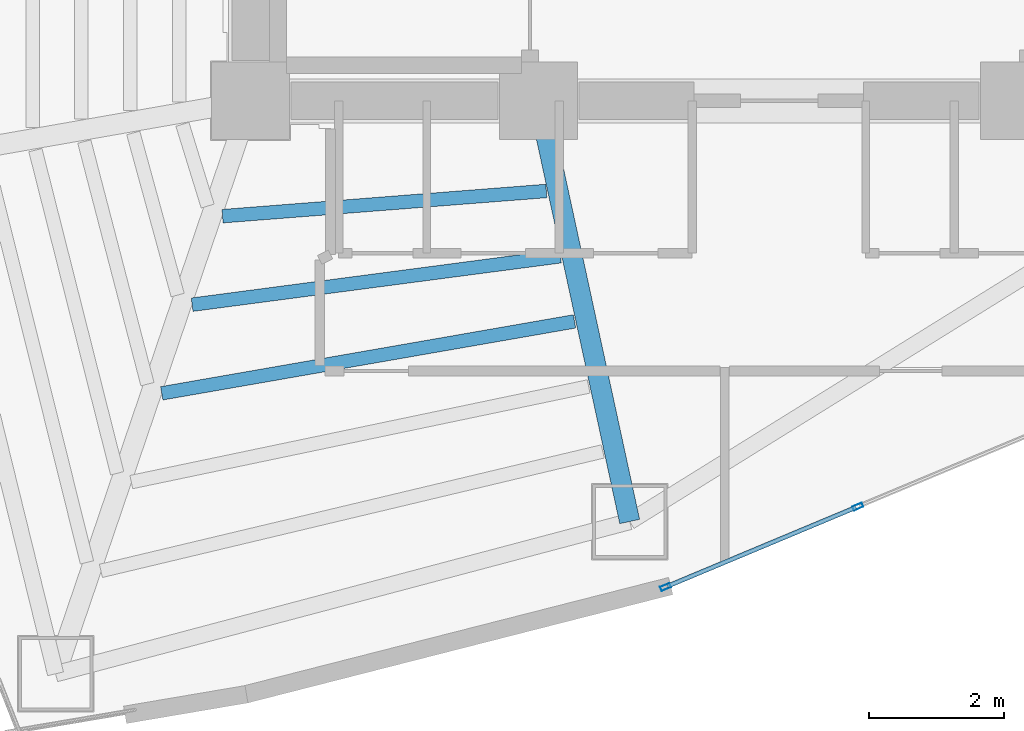
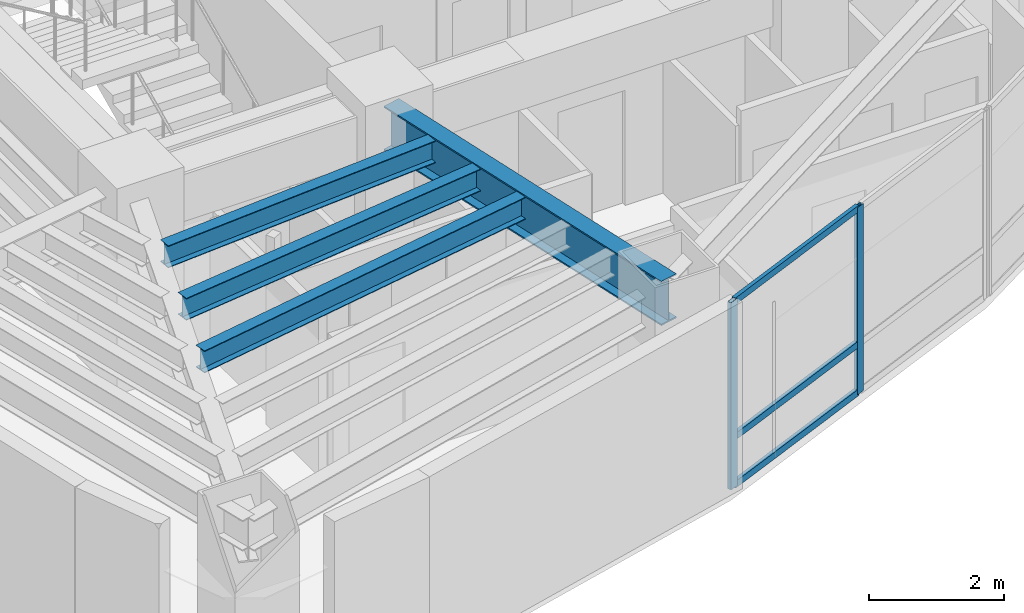
# One storey, part 2 of 15: 5 members, 4 beams, 1 element without a shape of its own.
"""IFC4 building model written with IfcOpenShell, lengths in metres."""

from ifc_helpers import new_model, si_unit, direction, frame, origin, origin_2d, place, context, subcontext, project, spatial, hollow_rectangle, i_section, extrude, material, layer, layer_set, material_profile, profile_set, type_object, element, aggregate, save


model = new_model("IFC4")

# Units and contexts
model_context = context("Model", 3, precision=1e-05, world=origin(), true_north=direction((0.0, 1.0)))
body_context = subcontext(model_context, "Body", "Model", "MODEL_VIEW")
ifc_project = project(units=[si_unit("LENGTHUNIT", "METRE"), si_unit("AREAUNIT", "SQUARE_METRE"), si_unit("VOLUMEUNIT", "CUBIC_METRE"), si_unit("PLANEANGLEUNIT", "RADIAN"), si_unit("MASSUNIT", "GRAM", prefix="KILO")], contexts=[model_context])

# Site, building, storey
site_placement = place(None, origin())
site = spatial("IfcSite", under=ifc_project, at=site_placement, CompositionType="ELEMENT")
building_placement = place(site_placement, origin())
building = spatial("IfcBuilding", under=site, at=building_placement, Name="Menara Vayukalpa", CompositionType="ELEMENT")
storey_placement = place(building_placement, frame((0.0, 0.0, 144.89990234375)))
storey = spatial("IfcBuildingStorey", under=building, at=storey_placement, Name="L36", CompositionType="ELEMENT", Elevation=144.89990234375)

# Beams
ifc_material_1 = material(Name="Steel S355", Category="steel")
ifc_material_profile_1 = material_profile(ifc_material_1, i_section(OverallWidth=0.300048828125, OverallDepth=0.800048828125, WebThickness=0.013916015625, FlangeThickness=0.02587890625, at=origin_2d()), Name="WF 800x300x14x26")
ifc_profile_set_1 = profile_set([ifc_material_profile_1], Name="Steel S355")
beam_type_1 = type_object("IfcBeamType", Name="BM-PG3", PredefinedType="BEAM", material=ifc_profile_set_1)
beam_1_placement = place(storey_placement, frame((22.10302734375, 16.955810546875, 2.97998046875), z_axis=(0.211898459532, -0.9772916877, 0.0), x_axis=(0.9772916877, 0.211898459532, 0.0)))
element("IfcBeam", 1, at=beam_1_placement, inside=storey, type_object=beam_type_1, Name="L36 Primary Radial Girder RG08", PredefinedType="BEAM", context=body_context, shape_type="SweptSolid", body=[
    extrude(i_section(OverallWidth=0.300048828125, OverallDepth=0.800048828125, WebThickness=0.013916015625, FlangeThickness=0.02587890625, at=origin_2d()), origin(), (0.0, 0.0, 1.0), 6.1064453125),
])
ifc_material_2 = material(Name="Steel S355", Category="steel")
ifc_material_profile_2 = material_profile(ifc_material_2, i_section(OverallWidth=0.199951171875, OverallDepth=0.39990234375, WebThickness=0.008056640625, FlangeThickness=0.012939453125, at=origin_2d()), Name="WF 400x200x8x13")
ifc_profile_set_2 = profile_set([ifc_material_profile_2], Name="Steel S355")
beam_type_2 = type_object("IfcBeamType", Name="BM-SJ2", PredefinedType="JOIST", material=ifc_profile_set_2)
beam_2_placement = place(storey_placement, frame((17.38525390625, 15.49609375, 3.18017578125), z_axis=(0.99698187454, 0.07763466905, 0.0), x_axis=(-0.07763466905, 0.99698187454, 0.0)))
element("IfcBeam", 2, at=beam_2_placement, inside=storey, type_object=beam_type_2, Name="L36 Secondary Floor Joist SJ07-1", PredefinedType="JOIST", context=body_context, shape_type="SweptSolid", body=[
    extrude(i_section(OverallWidth=0.199951171875, OverallDepth=0.39990234375, WebThickness=0.008056640625, FlangeThickness=0.012939453125, at=origin_2d()), origin(), (0.0, 0.0, 1.0), 4.795654296875),
])
beam_3_placement = place(storey_placement, frame((16.936279296875, 14.189453125, 3.18017578125), z_axis=(0.991465351363, 0.130370460792, 0.0), x_axis=(-0.130370460792, 0.991465351363, 0.0)))
element("IfcBeam", 3, at=beam_3_placement, inside=storey, type_object=beam_type_2, Name="L36 Secondary Floor Joist SJ07-2", PredefinedType="JOIST", context=body_context, shape_type="SweptSolid", body=[
    extrude(i_section(OverallWidth=0.199951171875, OverallDepth=0.39990234375, WebThickness=0.008056640625, FlangeThickness=0.012939453125, at=origin_2d()), origin(), (0.0, 0.0, 1.0), 5.485107421875),
])
beam_4_placement = place(storey_placement, frame((16.487548828125, 12.880615234375, 3.18017578125), z_axis=(0.98515667511, 0.171657582084, 0.0), x_axis=(-0.171657582084, 0.98515667511, 0.0)))
element("IfcBeam", 4, at=beam_4_placement, inside=storey, type_object=beam_type_2, Name="L36 Secondary Floor Joist SJ07-3", PredefinedType="JOIST", context=body_context, shape_type="SweptSolid", body=[
    extrude(i_section(OverallWidth=0.199951171875, OverallDepth=0.39990234375, WebThickness=0.008056640625, FlangeThickness=0.012939453125, at=origin_2d()), origin(), (0.0, 0.0, 1.0), 6.186767578125),
])

# Curtain wall, members
ifc_material_3 = material(Name="Anodised Terracotta Aluminium Alloy 6063-T6", Category="masonry")
ifc_layer = layer(ifc_material_3, 0.14990234375)
ifc_layer_set = layer_set([ifc_layer], Name="Anodised Terracotta Aluminium Alloy 6063-T6")
curtain_wall_type = type_object("IfcCurtainWallType", Name="CW-CW3", PredefinedType="USERDEFINED", material=ifc_layer_set)
curtain_wall_placement = place(storey_placement, origin())
curtain_wall = element("IfcCurtainWall", 5, at=curtain_wall_placement, inside=storey, type_object=curtain_wall_type, Name="L36 Mid Rise Terracotta Ribbon Curtain Wall CW3 16", ObjectType="UNITISED", PredefinedType="USERDEFINED")
ifc_material_4 = material(Name="Anodised Terracotta Aluminium Alloy 6063-T6", Category="masonry")
ifc_material_profile_3 = material_profile(ifc_material_4, hollow_rectangle(XDim=0.06494140625, YDim=0.14990234375, WallThickness=0.00341796875, at=origin_2d()), Name="ALU 65x150x3.5")
ifc_profile_set_3 = profile_set([ifc_material_profile_3], Name="Anodised Terracotta Aluminium Alloy 6063-T6")
member_type_1 = type_object("IfcMemberType", Name="CWM-CW3", PredefinedType="MULLION", material=ifc_profile_set_3)
member_1_placement = place(storey_placement, frame((23.926025390625, 10.020263671875, 0.0), z_axis=(0.0, 0.0, 1.0), x_axis=(-0.385886210456, 0.922546385056, 0.0)))
member_1 = element("IfcMember", 6, at=member_1_placement, type_object=member_type_1, Name="CW3 mullion 1", PredefinedType="MULLION", context=body_context, shape_type="SweptSolid", body=[
    extrude(hollow_rectangle(XDim=0.06494140625, YDim=0.14990234375, WallThickness=0.00341796875, at=origin_2d()), origin(), (0.0, 0.0, 1.0), 3.380126953125),
])
member_2_placement = place(storey_placement, frame((26.766357421875, 11.20849609375, 0.0), z_axis=(0.0, 0.0, 1.0), x_axis=(-0.385886210456, 0.922546385056, 0.0)))
member_2 = element("IfcMember", 7, at=member_2_placement, type_object=member_type_1, Name="CW3 mullion 2", PredefinedType="MULLION", context=body_context, shape_type="SweptSolid", body=[
    extrude(hollow_rectangle(XDim=0.06494140625, YDim=0.14990234375, WallThickness=0.00341796875, at=origin_2d()), origin(), (0.0, 0.0, 1.0), 3.380126953125),
])
ifc_material_5 = material(Name="Anodised Terracotta Aluminium Alloy 6063-T6", Category="masonry")
ifc_material_profile_4 = material_profile(ifc_material_5, hollow_rectangle(XDim=0.06494140625, YDim=0.1201171875, WallThickness=0.00341796875, at=origin_2d()), Name="ALU 65x120x3.5")
ifc_profile_set_4 = profile_set([ifc_material_profile_4], Name="Anodised Terracotta Aluminium Alloy 6063-T6")
member_type_2 = type_object("IfcMemberType", Name="CWT-CW3", PredefinedType="USERDEFINED", material=ifc_profile_set_4)
member_3_placement = place(storey_placement, frame((23.9560546875, 10.032958984375, 0.03271484375), z_axis=(0.922558380554, 0.385857531312, 0.0), x_axis=(-0.385857531312, 0.922558380554, 0.0)))
member_3 = element("IfcMember", 8, at=member_3_placement, type_object=member_type_2, Name="CW3 transom 1.1", ObjectType="TRANSOM", PredefinedType="USERDEFINED", context=body_context, shape_type="SweptSolid", body=[
    extrude(hollow_rectangle(XDim=0.06494140625, YDim=0.1201171875, WallThickness=0.00341796875, at=origin_2d()), origin(), (0.0, 0.0, 1.0), 3.013671875),
])
member_4_placement = place(storey_placement, frame((23.9560546875, 10.032958984375, 0.900146484375), z_axis=(0.922558380554, 0.385857531312, 0.0), x_axis=(-0.385857531312, 0.922558380554, 0.0)))
member_4 = element("IfcMember", 9, at=member_4_placement, type_object=member_type_2, Name="CW3 transom 1.2", ObjectType="TRANSOM", PredefinedType="USERDEFINED", context=body_context, shape_type="SweptSolid", body=[
    extrude(hollow_rectangle(XDim=0.06494140625, YDim=0.1201171875, WallThickness=0.00341796875, at=origin_2d()), origin(), (0.0, 0.0, 1.0), 3.013671875),
])
member_5_placement = place(storey_placement, frame((23.9560546875, 10.032958984375, 3.34765625), z_axis=(0.922558380554, 0.385857531312, 0.0), x_axis=(-0.385857531312, 0.922558380554, 0.0)))
member_5 = element("IfcMember", 10, at=member_5_placement, type_object=member_type_2, Name="CW3 transom 1.3", ObjectType="TRANSOM", PredefinedType="USERDEFINED", context=body_context, shape_type="SweptSolid", body=[
    extrude(hollow_rectangle(XDim=0.06494140625, YDim=0.1201171875, WallThickness=0.00341796875, at=origin_2d()), origin(), (0.0, 0.0, 1.0), 3.013671875),
])
aggregate(curtain_wall, [member_1, member_2, member_3, member_4, member_5])

save(model, "model.ifc")
